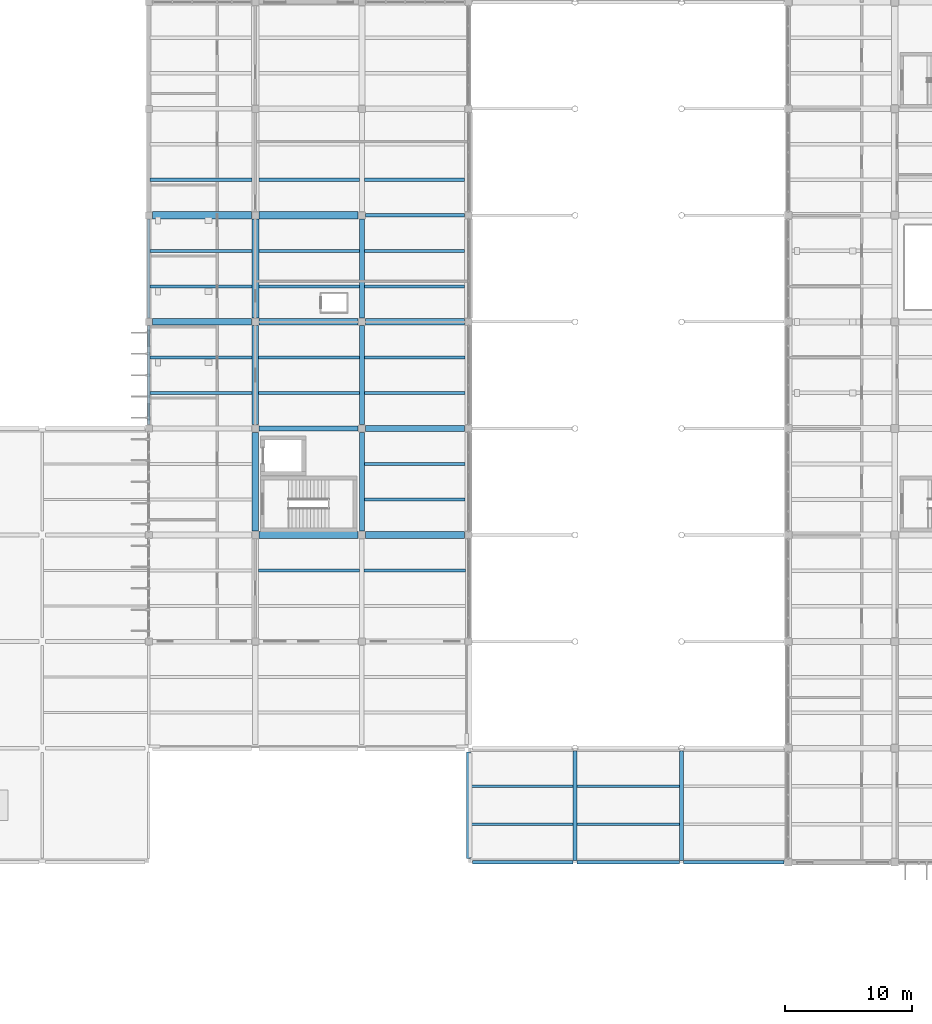
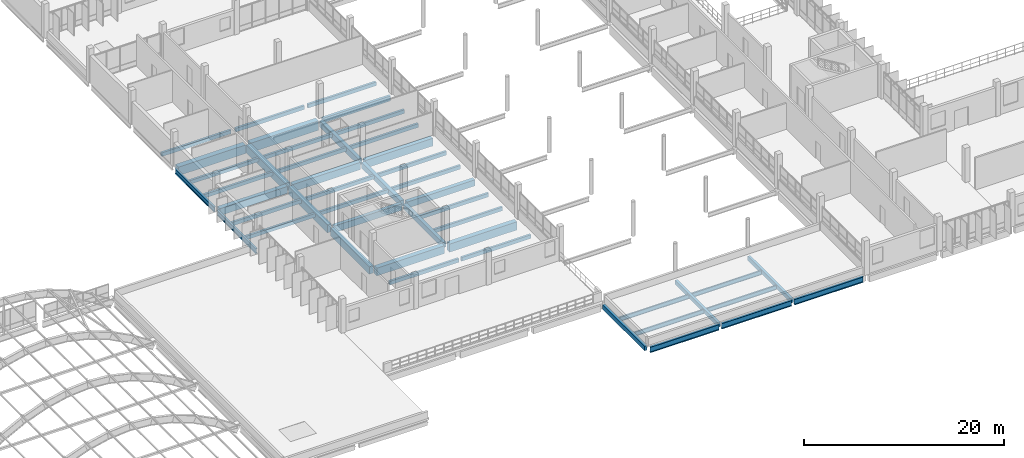
# One storey, part 22 of 130: 47 beams.
"""IFC4 building model written with IfcOpenShell, lengths in metres."""

from ifc_helpers import new_model, si_unit, direction, frame, origin, origin_2d, place, context, subcontext, project, spatial, rectangle, i_section, extrude, material, material_profile, profile_set, type_object, element, save


model = new_model("IFC4")

# Units and contexts
model_context = context("Model", 3, precision=1e-05, world=origin(), true_north=direction((0.0, 1.0)))
body_context = subcontext(model_context, "Body", "Model", "MODEL_VIEW")
ifc_project = project(units=[si_unit("LENGTHUNIT", "METRE"), si_unit("AREAUNIT", "SQUARE_METRE"), si_unit("VOLUMEUNIT", "CUBIC_METRE"), si_unit("PLANEANGLEUNIT", "RADIAN"), si_unit("MASSUNIT", "GRAM", prefix="KILO")], contexts=[model_context])

# Site, building, storey
site_placement = place(None, origin())
site = spatial("IfcSite", under=ifc_project, at=site_placement, CompositionType="ELEMENT")
building_placement = place(site_placement, origin())
building = spatial("IfcBuilding", under=site, at=building_placement, Name="Vireocrest Preparatory School", CompositionType="ELEMENT")
storey_placement = place(building_placement, frame((0.0, 0.0, 9.0)))
storey = spatial("IfcBuildingStorey", under=building, at=storey_placement, Name="L02", CompositionType="ELEMENT", Elevation=9.0)

# Beams
ifc_material_1 = material(Name="Structural steel ASTM A992 Grade 50", Category="steel")
ifc_material_profile_1 = material_profile(ifc_material_1, i_section(OverallWidth=0.25390625, OverallDepth=0.68408203125, WebThickness=0.012451171875, FlangeThickness=0.018798828125, FilletRadius=0.01806640625, at=origin_2d()), Name="W27X94")
ifc_profile_set_1 = profile_set([ifc_material_profile_1], Name="Structural steel ASTM A992 Grade 50")
beam_type_1 = type_object("IfcBeamType", Name="Bridge Primary Steel Girder W27X94", PredefinedType="BEAM", material=ifc_profile_set_1)
beam_1_placement = place(storey_placement, frame((67.5, 18.0, -0.56201171875), z_axis=(1.0, 0.0, 0.0), x_axis=(0.0, 1.0, 0.0)))
element("IfcBeam", 1, at=beam_1_placement, inside=storey, type_object=beam_type_1, Name="Primary Girder SB1 L02-0680", PredefinedType="BEAM", context=body_context, shape_type="SweptSolid", body=[
    extrude(i_section(OverallWidth=0.25390625, OverallDepth=0.68408203125, WebThickness=0.012451171875, FlangeThickness=0.018798828125, FilletRadius=0.01806640625, at=origin_2d()), origin(), (0.0, 0.0, 1.0), 7.947509765625),
])
beam_2_placement = place(storey_placement, frame((75.75244140625, 18.0, -0.56201171875), z_axis=(1.0, 0.0, 0.0), x_axis=(0.0, 1.0, 0.0)))
element("IfcBeam", 2, at=beam_2_placement, inside=storey, type_object=beam_type_1, Name="Primary Girder SB1 L02-0681", PredefinedType="BEAM", context=body_context, shape_type="SweptSolid", body=[
    extrude(i_section(OverallWidth=0.25390625, OverallDepth=0.68408203125, WebThickness=0.012451171875, FlangeThickness=0.018798828125, FilletRadius=0.01806640625, at=origin_2d()), origin(), (0.0, 0.0, 1.0), 8.09521484375),
])
beam_3_placement = place(storey_placement, frame((84.15234375, 18.0, -0.56201171875), z_axis=(1.0, 0.0, 0.0), x_axis=(0.0, 1.0, 0.0)))
element("IfcBeam", 3, at=beam_3_placement, inside=storey, type_object=beam_type_1, Name="Primary Girder SB1 L02-0682", PredefinedType="BEAM", context=body_context, shape_type="SweptSolid", body=[
    extrude(i_section(OverallWidth=0.25390625, OverallDepth=0.68408203125, WebThickness=0.012451171875, FlangeThickness=0.018798828125, FilletRadius=0.01806640625, at=origin_2d()), origin(), (0.0, 0.0, 1.0), 7.922607421875),
])
ifc_material_profile_2 = material_profile(ifc_material_1, i_section(OverallWidth=0.22802734375, OverallDepth=0.60791015625, WebThickness=0.01123046875, FlangeThickness=0.017333984375, FilletRadius=0.01611328125, at=origin_2d()), Name="W24X76")
ifc_profile_set_2 = profile_set([ifc_material_profile_2], Name="Structural steel ASTM A992 Grade 50")
beam_type_2 = type_object("IfcBeamType", Name="Gallery Steel Girder W24X76", PredefinedType="BEAM", material=ifc_profile_set_2)
for number, where, z_axis, x_axis, name in (
    (4, (42.0, 52.5, -0.5439453125), (0.0, 1.0, 0.0), (-1.0, 0.0, 0.0), "Primary Girder SB3 L02-0791"),
    (5, (42.0, 60.89990234375, -0.5439453125), (0.0, 1.0, 0.0), (-1.0, 0.0, 0.0), "Primary Girder SB3 L02-0792"),
):
    element("IfcBeam", number, at=place(storey_placement, frame(where, z_axis=z_axis, x_axis=x_axis)), inside=storey, type_object=beam_type_2, Name=name, PredefinedType="BEAM", context=body_context, shape_type="SweptSolid", body=[
        extrude(i_section(OverallWidth=0.22802734375, OverallDepth=0.60791015625, WebThickness=0.01123046875, FlangeThickness=0.017333984375, FilletRadius=0.01611328125, at=origin_2d()), origin(), (0.0, 0.0, 1.0), 7.800048828125),
    ])
ifc_material_profile_3 = material_profile(ifc_material_1, i_section(OverallWidth=0.166015625, OverallDepth=0.529052734375, WebThickness=0.009765625, FlangeThickness=0.013671875, FilletRadius=0.014892578125, at=origin_2d()), Name="W21X50")
ifc_profile_set_3 = profile_set([ifc_material_profile_3], Name="Structural steel ASTM A992 Grade 50")
beam_type_3 = type_object("IfcBeamType", Name="Pavilion Roof Joist W21X50", PredefinedType="JOIST", material=ifc_profile_set_3)
for number, where, z_axis, x_axis, name in (
    (6, (67.35009765625, 21.0, -0.484619140625), (1.0, 0.0, 0.0), (0.0, 1.0, 0.0), "Secondary Joist SJ1 L02-0944"),
    (7, (67.35009765625, 24.0, -0.484619140625), (1.0, 0.0, 0.0), (0.0, 1.0, 0.0), "Secondary Joist SJ1 L02-0945"),
):
    element("IfcBeam", number, at=place(storey_placement, frame(where, z_axis=z_axis, x_axis=x_axis)), inside=storey, type_object=beam_type_3, Name=name, PredefinedType="JOIST", context=body_context, shape_type="SweptSolid", body=[
        extrude(i_section(OverallWidth=0.166015625, OverallDepth=0.529052734375, WebThickness=0.009765625, FlangeThickness=0.013671875, FilletRadius=0.014892578125, at=origin_2d()), origin(), (0.0, 0.0, 1.0), 8.099853515625),
    ])
for number, where, z_axis, x_axis, name in (
    (8, (75.75, 21.0, -0.484619140625), (1.0, 0.0, 0.0), (0.0, 1.0, 0.0), "Secondary Joist SJ1 L02-0952"),
    (9, (75.75, 24.0, -0.484619140625), (1.0, 0.0, 0.0), (0.0, 1.0, 0.0), "Secondary Joist SJ1 L02-0953"),
):
    element("IfcBeam", number, at=place(storey_placement, frame(where, z_axis=z_axis, x_axis=x_axis)), inside=storey, type_object=beam_type_3, Name=name, PredefinedType="JOIST", context=body_context, shape_type="SweptSolid", body=[
        extrude(i_section(OverallWidth=0.166015625, OverallDepth=0.529052734375, WebThickness=0.009765625, FlangeThickness=0.013671875, FilletRadius=0.014892578125, at=origin_2d()), origin(), (0.0, 0.0, 1.0), 8.10009765625),
    ])
ifc_material_2 = material(Name="Concrete 40 MPa", Category="concrete")
ifc_material_profile_4 = material_profile(ifc_material_2, rectangle(XDim=0.5, YDim=0.949951171875, at=origin_2d()), Name="RC 500x950")
ifc_profile_set_4 = profile_set([ifc_material_profile_4], Name="Concrete 40 MPa")
beam_type_4 = type_object("IfcBeamType", Name="RC Basement Ceiling Girder 500x950", PredefinedType="BEAM", material=ifc_profile_set_4)
beam_4_placement = place(storey_placement, frame((59.10009765625, 60.60009765625, -0.715087890625), z_axis=(1.0, 0.0, 0.0), x_axis=(0.0, 1.0, 0.0)))
element("IfcBeam", 10, at=beam_4_placement, inside=storey, type_object=beam_type_4, Name="Primary Girder B16 L02-0734", PredefinedType="BEAM", context=body_context, shape_type="SweptSolid", body=[
    extrude(rectangle(XDim=0.5, YDim=0.949951171875, at=origin_2d()), origin(), (0.0, 0.0, 1.0), 7.7998046875),
])
beam_5_placement = place(storey_placement, frame((50.39990234375, 52.5, -0.715087890625), z_axis=(0.0, 1.0, 0.0), x_axis=(-1.0, 0.0, 0.0)))
element("IfcBeam", 11, at=beam_5_placement, inside=storey, type_object=beam_type_4, Name="Primary Girder B16 L02-0801", PredefinedType="BEAM", context=body_context, shape_type="SweptSolid", body=[
    extrude(rectangle(XDim=0.5, YDim=0.949951171875, at=origin_2d()), origin(), (0.0, 0.0, 1.0), 7.800048828125),
])
ifc_material_profile_5 = material_profile(ifc_material_2, rectangle(XDim=0.300048828125, YDim=0.60009765625, at=origin_2d()), Name="RC 300x600")
ifc_profile_set_5 = profile_set([ifc_material_profile_5], Name="Concrete 40 MPa")
beam_type_5 = type_object("IfcBeamType", Name="RC Classroom Beam 300x600", PredefinedType="BEAM", material=ifc_profile_set_5)
beam_6_placement = place(storey_placement, frame((59.10009765625, 69.0, -0.5400390625), z_axis=(1.0, 0.0, 0.0), x_axis=(0.0, 1.0, 0.0)))
element("IfcBeam", 12, at=beam_6_placement, inside=storey, type_object=beam_type_5, Name="Primary Girder B03 L02-0739", PredefinedType="BEAM", context=body_context, shape_type="SweptSolid", body=[
    extrude(rectangle(XDim=0.300048828125, YDim=0.60009765625, at=origin_2d()), origin(), (0.0, 0.0, 1.0), 7.7998046875),
])
ifc_material_profile_6 = material_profile(ifc_material_2, rectangle(XDim=0.39990234375, YDim=0.75, at=origin_2d()), Name="RC 400x750")
ifc_profile_set_6 = profile_set([ifc_material_profile_6], Name="Concrete 40 MPa")
beam_type_6 = type_object("IfcBeamType", Name="RC Commons Girder 400x750", PredefinedType="BEAM", material=ifc_profile_set_6)
beam_7_placement = place(storey_placement, frame((58.800048828125, 60.89990234375, -0.614990234375), z_axis=(0.0, 1.0, 0.0), x_axis=(-1.0, 0.0, 0.0)))
element("IfcBeam", 13, at=beam_7_placement, inside=storey, type_object=beam_type_6, Name="Primary Girder B09 L02-0812", PredefinedType="BEAM", context=body_context, shape_type="SweptSolid", body=[
    extrude(rectangle(XDim=0.39990234375, YDim=0.75, at=origin_2d()), origin(), (0.0, 0.0, 1.0), 7.800048828125),
])
ifc_material_profile_7 = material_profile(ifc_material_2, rectangle(XDim=0.550048828125, YDim=1.0, at=origin_2d()), Name="RC 550x1000")
ifc_profile_set_7 = profile_set([ifc_material_profile_7], Name="Concrete 40 MPa")
beam_type_7 = type_object("IfcBeamType", Name="RC Core Coupling Beam 550x1000", PredefinedType="BEAM", material=ifc_profile_set_7)
beam_8_placement = place(storey_placement, frame((59.10009765625, 43.800048828125, -0.739990234375), z_axis=(1.0, 0.0, 0.0), x_axis=(0.0, 1.0, 0.0)))
element("IfcBeam", 14, at=beam_8_placement, inside=storey, type_object=beam_type_7, Name="Primary Girder B18 L02-0718", PredefinedType="BEAM", context=body_context, shape_type="SweptSolid", body=[
    extrude(rectangle(XDim=0.550048828125, YDim=1.0, at=origin_2d()), origin(), (0.0, 0.0, 1.0), 7.7998046875),
])
ifc_material_profile_8 = material_profile(ifc_material_2, rectangle(XDim=0.39990234375, YDim=0.699951171875, at=origin_2d()), Name="RC 400x700")
ifc_profile_set_8 = profile_set([ifc_material_profile_8], Name="Concrete 40 MPa")
beam_type_8 = type_object("IfcBeamType", Name="RC Corridor Girder 400x700", PredefinedType="BEAM", material=ifc_profile_set_8)
beam_9_placement = place(storey_placement, frame((58.800048828125, 52.5, -0.590087890625), z_axis=(0.0, 1.0, 0.0), x_axis=(-1.0, 0.0, 0.0)))
element("IfcBeam", 15, at=beam_9_placement, inside=storey, type_object=beam_type_8, Name="Primary Girder B08 L02-0811", PredefinedType="BEAM", context=body_context, shape_type="SweptSolid", body=[
    extrude(rectangle(XDim=0.39990234375, YDim=0.699951171875, at=origin_2d()), origin(), (0.0, 0.0, 1.0), 7.800048828125),
])
ifc_material_profile_9 = material_profile(ifc_material_2, rectangle(XDim=0.60009765625, YDim=1.14990234375, at=origin_2d()), Name="RC 600x1150")
ifc_profile_set_9 = profile_set([ifc_material_profile_9], Name="Concrete 40 MPa")
beam_type_9 = type_object("IfcBeamType", Name="RC Heavy Transfer Girder 600x1150", PredefinedType="BEAM", material=ifc_profile_set_9)
beam_10_placement = place(storey_placement, frame((50.699951171875, 69.0, -0.81494140625), z_axis=(1.0, 0.0, 0.0), x_axis=(0.0, 1.0, 0.0)))
element("IfcBeam", 16, at=beam_10_placement, inside=storey, type_object=beam_type_9, Name="Primary Girder B20 L02-0738", PredefinedType="BEAM", context=body_context, shape_type="SweptSolid", body=[
    extrude(rectangle(XDim=0.60009765625, YDim=1.14990234375, at=origin_2d()), origin(), (0.0, 0.0, 1.0), 7.800048828125),
])
ifc_material_profile_10 = material_profile(ifc_material_2, rectangle(XDim=0.39990234375, YDim=0.64990234375, at=origin_2d()), Name="RC 400x650")
ifc_profile_set_10 = profile_set([ifc_material_profile_10], Name="Concrete 40 MPa")
beam_type_10 = type_object("IfcBeamType", Name="RC Laboratory Girder 400x650", PredefinedType="BEAM", material=ifc_profile_set_10)
beam_11_placement = place(storey_placement, frame((58.800048828125, 44.10009765625, -0.56494140625), z_axis=(0.0, 1.0, 0.0), x_axis=(-1.0, 0.0, 0.0)))
element("IfcBeam", 17, at=beam_11_placement, inside=storey, type_object=beam_type_10, Name="Primary Girder B07 L02-0810", PredefinedType="BEAM", context=body_context, shape_type="SweptSolid", body=[
    extrude(rectangle(XDim=0.39990234375, YDim=0.64990234375, at=origin_2d()), origin(), (0.0, 0.0, 1.0), 7.7998046875),
])
ifc_material_profile_11 = material_profile(ifc_material_2, rectangle(XDim=0.39990234375, YDim=0.800048828125, at=origin_2d()), Name="RC 400x800")
ifc_profile_set_11 = profile_set([ifc_material_profile_11], Name="Concrete 40 MPa")
beam_type_11 = type_object("IfcBeamType", Name="RC Library Reading Girder 400x800", PredefinedType="BEAM", material=ifc_profile_set_11)
beam_12_placement = place(storey_placement, frame((50.699951171875, 52.199951171875, -0.639892578125), z_axis=(1.0, 0.0, 0.0), x_axis=(0.0, 1.0, 0.0)))
element("IfcBeam", 18, at=beam_12_placement, inside=storey, type_object=beam_type_11, Name="Primary Girder B10 L02-0728", PredefinedType="BEAM", context=body_context, shape_type="SweptSolid", body=[
    extrude(rectangle(XDim=0.39990234375, YDim=0.800048828125, at=origin_2d()), origin(), (0.0, 0.0, 1.0), 7.800048828125),
])
ifc_material_profile_12 = material_profile(ifc_material_2, rectangle(XDim=0.449951171875, YDim=0.75, at=origin_2d()), Name="RC 450x750")
ifc_profile_set_12 = profile_set([ifc_material_profile_12], Name="Concrete 40 MPa")
beam_type_12 = type_object("IfcBeamType", Name="RC Library Stack Girder 450x750", PredefinedType="BEAM", material=ifc_profile_set_12)
beam_13_placement = place(storey_placement, frame((59.10009765625, 52.199951171875, -0.614990234375), z_axis=(1.0, 0.0, 0.0), x_axis=(0.0, 1.0, 0.0)))
element("IfcBeam", 19, at=beam_13_placement, inside=storey, type_object=beam_type_12, Name="Primary Girder B11 L02-0729", PredefinedType="BEAM", context=body_context, shape_type="SweptSolid", body=[
    extrude(rectangle(XDim=0.449951171875, YDim=0.75, at=origin_2d()), origin(), (0.0, 0.0, 1.0), 7.7998046875),
])
ifc_material_profile_13 = material_profile(ifc_material_2, rectangle(XDim=0.5, YDim=0.85009765625, at=origin_2d()), Name="RC 500x850")
ifc_profile_set_13 = profile_set([ifc_material_profile_13], Name="Concrete 40 MPa")
beam_type_13 = type_object("IfcBeamType", Name="RC Podium Girder 500x850", PredefinedType="BEAM", material=ifc_profile_set_13)
beam_14_placement = place(storey_placement, frame((42.300048828125, 60.60009765625, -0.6650390625), z_axis=(1.0, 0.0, 0.0), x_axis=(0.0, 1.0, 0.0)))
element("IfcBeam", 20, at=beam_14_placement, inside=storey, type_object=beam_type_13, Name="Primary Girder B14 L02-0732", PredefinedType="BEAM", context=body_context, shape_type="SweptSolid", body=[
    extrude(rectangle(XDim=0.5, YDim=0.85009765625, at=origin_2d()), origin(), (0.0, 0.0, 1.0), 7.800048828125),
])
ifc_material_profile_14 = material_profile(ifc_material_2, rectangle(XDim=0.5, YDim=0.89990234375, at=origin_2d()), Name="RC 500x900")
ifc_profile_set_14 = profile_set([ifc_material_profile_14], Name="Concrete 40 MPa")
beam_type_14 = type_object("IfcBeamType", Name="RC Podium Girder 500x900", PredefinedType="BEAM", material=ifc_profile_set_14)
beam_15_placement = place(storey_placement, frame((50.699951171875, 60.60009765625, -0.68994140625), z_axis=(1.0, 0.0, 0.0), x_axis=(0.0, 1.0, 0.0)))
element("IfcBeam", 21, at=beam_15_placement, inside=storey, type_object=beam_type_14, Name="Primary Girder B15 L02-0733", PredefinedType="BEAM", context=body_context, shape_type="SweptSolid", body=[
    extrude(rectangle(XDim=0.5, YDim=0.89990234375, at=origin_2d()), origin(), (0.0, 0.0, 1.0), 7.800048828125),
])
beam_16_placement = place(storey_placement, frame((50.39990234375, 44.10009765625, -0.68994140625), z_axis=(0.0, 1.0, 0.0), x_axis=(-1.0, 0.0, 0.0)))
element("IfcBeam", 22, at=beam_16_placement, inside=storey, type_object=beam_type_14, Name="Primary Girder B15 L02-0800", PredefinedType="BEAM", context=body_context, shape_type="SweptSolid", body=[
    extrude(rectangle(XDim=0.5, YDim=0.89990234375, at=origin_2d()), origin(), (0.0, 0.0, 1.0), 7.7998046875),
])
ifc_material_profile_15 = material_profile(ifc_material_2, rectangle(XDim=0.300048828125, YDim=0.5, at=origin_2d()), Name="RC 300x500")
ifc_profile_set_15 = profile_set([ifc_material_profile_15], Name="Concrete 40 MPa")
beam_type_15 = type_object("IfcBeamType", Name="RC Roof Edge Beam 300x500", PredefinedType="BEAM", material=ifc_profile_set_15)
for number, where, z_axis, x_axis, name in (
    (23, (75.60009765625, 18.15234375, -0.469970703125), (0.0, 1.0, 0.0), (-1.0, 0.0, 0.0), "Primary Girder B01 L02-0828"),
    (24, (84.0, 18.15234375, -0.469970703125), (0.0, 1.0, 0.0), (-1.0, 0.0, 0.0), "Primary Girder B01 L02-0832"),
):
    element("IfcBeam", number, at=place(storey_placement, frame(where, z_axis=z_axis, x_axis=x_axis)), inside=storey, type_object=beam_type_15, Name=name, PredefinedType="BEAM", context=body_context, shape_type="SweptSolid", body=[
        extrude(rectangle(XDim=0.300048828125, YDim=0.5, at=origin_2d()), origin(), (0.0, 0.0, 1.0), 8.619140625),
    ])
ifc_material_profile_16 = material_profile(ifc_material_2, rectangle(XDim=0.300048828125, YDim=0.550048828125, at=origin_2d()), Name="RC 300x550")
ifc_profile_set_16 = profile_set([ifc_material_profile_16], Name="Concrete 40 MPa")
beam_type_16 = type_object("IfcBeamType", Name="RC Roof Girder 300x550", PredefinedType="BEAM", material=ifc_profile_set_16)
beam_17_placement = place(storey_placement, frame((67.199951171875, 18.300048828125, -0.4951171875), z_axis=(0.0, 1.0, 0.0), x_axis=(-1.0, 0.0, 0.0)))
element("IfcBeam", 25, at=beam_17_placement, inside=storey, type_object=beam_type_16, Name="Primary Girder B02 L02-0817", PredefinedType="BEAM", context=body_context, shape_type="SweptSolid", body=[
    extrude(rectangle(XDim=0.300048828125, YDim=0.550048828125, at=origin_2d()), origin(), (0.0, 0.0, 1.0), 8.39990234375),
])
ifc_material_profile_17 = material_profile(ifc_material_2, rectangle(XDim=0.25, YDim=0.449951171875, at=origin_2d()), Name="RC 250x450")
ifc_profile_set_17 = profile_set([ifc_material_profile_17], Name="Concrete 40 MPa")
beam_type_17 = type_object("IfcBeamType", Name="RC Secondary Floor Joist 250x450", PredefinedType="JOIST", material=ifc_profile_set_17)
for number, where, z_axis, x_axis, name in (
    (26, (42.114013671875, 55.0, -0.465087890625), (1.0, 0.0, 0.0), (0.0, 1.0, 0.0), "Secondary Joist J01 L02-0896"),
    (27, (42.114013671875, 57.800048828125, -0.465087890625), (1.0, 0.0, 0.0), (0.0, 1.0, 0.0), "Secondary Joist J01 L02-0897"),
):
    element("IfcBeam", number, at=place(storey_placement, frame(where, z_axis=z_axis, x_axis=x_axis)), inside=storey, type_object=beam_type_17, Name=name, PredefinedType="JOIST", context=body_context, shape_type="SweptSolid", body=[
        extrude(rectangle(XDim=0.25, YDim=0.449951171875, at=origin_2d()), origin(), (0.0, 0.0, 1.0), 8.035888671875),
    ])
for number, where, z_axis, x_axis, name in (
    (28, (42.114013671875, 63.39990234375, -0.465087890625), (1.0, 0.0, 0.0), (0.0, 1.0, 0.0), "Secondary Joist J01 L02-0898"),
    (29, (42.114013671875, 66.199951171875, -0.465087890625), (1.0, 0.0, 0.0), (0.0, 1.0, 0.0), "Secondary Joist J01 L02-0899"),
    (30, (42.114013671875, 71.800048828125, -0.465087890625), (1.0, 0.0, 0.0), (0.0, 1.0, 0.0), "Secondary Joist J01 L02-0900"),
):
    element("IfcBeam", number, at=place(storey_placement, frame(where, z_axis=z_axis, x_axis=x_axis)), inside=storey, type_object=beam_type_17, Name=name, PredefinedType="JOIST", context=body_context, shape_type="SweptSolid", body=[
        extrude(rectangle(XDim=0.25, YDim=0.449951171875, at=origin_2d()), origin(), (0.0, 0.0, 1.0), 8.010986328125),
    ])
beam_18_placement = place(storey_placement, frame((50.64990234375, 41.0, -0.465087890625), z_axis=(1.0, 0.0, 0.0), x_axis=(0.0, 1.0, 0.0)))
element("IfcBeam", 31, at=beam_18_placement, inside=storey, type_object=beam_type_17, Name="Secondary Joist J01 L02-0913", PredefinedType="JOIST", context=body_context, shape_type="SweptSolid", body=[
    extrude(rectangle(XDim=0.25, YDim=0.449951171875, at=origin_2d()), origin(), (0.0, 0.0, 1.0), 7.97509765625),
])
for number, where, z_axis, x_axis, name in (
    (32, (50.64990234375, 55.0, -0.465087890625), (1.0, 0.0, 0.0), (0.0, 1.0, 0.0), "Secondary Joist J01 L02-0914"),
    (33, (50.64990234375, 57.800048828125, -0.465087890625), (1.0, 0.0, 0.0), (0.0, 1.0, 0.0), "Secondary Joist J01 L02-0915"),
):
    element("IfcBeam", number, at=place(storey_placement, frame(where, z_axis=z_axis, x_axis=x_axis)), inside=storey, type_object=beam_type_17, Name=name, PredefinedType="JOIST", context=body_context, shape_type="SweptSolid", body=[
        extrude(rectangle(XDim=0.25, YDim=0.449951171875, at=origin_2d()), origin(), (0.0, 0.0, 1.0), 7.9501953125),
    ])
for number, where, z_axis, x_axis, name in (
    (34, (50.675048828125, 63.39990234375, -0.465087890625), (1.0, 0.0, 0.0), (0.0, 1.0, 0.0), "Secondary Joist J01 L02-0916"),
    (35, (50.675048828125, 66.199951171875, -0.465087890625), (1.0, 0.0, 0.0), (0.0, 1.0, 0.0), "Secondary Joist J01 L02-0917"),
    (36, (50.675048828125, 71.800048828125, -0.465087890625), (1.0, 0.0, 0.0), (0.0, 1.0, 0.0), "Secondary Joist J01 L02-0918"),
):
    element("IfcBeam", number, at=place(storey_placement, frame(where, z_axis=z_axis, x_axis=x_axis)), inside=storey, type_object=beam_type_17, Name=name, PredefinedType="JOIST", context=body_context, shape_type="SweptSolid", body=[
        extrude(rectangle(XDim=0.25, YDim=0.449951171875, at=origin_2d()), origin(), (0.0, 0.0, 1.0), 7.925048828125),
    ])
beam_19_placement = place(storey_placement, frame((58.97509765625, 41.0, -0.465087890625), z_axis=(1.0, 0.0, 0.0), x_axis=(0.0, 1.0, 0.0)))
element("IfcBeam", 37, at=beam_19_placement, inside=storey, type_object=beam_type_17, Name="Secondary Joist J01 L02-0929", PredefinedType="JOIST", context=body_context, shape_type="SweptSolid", body=[
    extrude(rectangle(XDim=0.25, YDim=0.449951171875, at=origin_2d()), origin(), (0.0, 0.0, 1.0), 7.974853515625),
])
for number, where, z_axis, x_axis, name in (
    (38, (59.0, 46.60009765625, -0.465087890625), (1.0, 0.0, 0.0), (0.0, 1.0, 0.0), "Secondary Joist J01 L02-0930"),
    (39, (59.0, 49.39990234375, -0.465087890625), (1.0, 0.0, 0.0), (0.0, 1.0, 0.0), "Secondary Joist J01 L02-0931"),
    (40, (59.0, 55.0, -0.465087890625), (1.0, 0.0, 0.0), (0.0, 1.0, 0.0), "Secondary Joist J01 L02-0932"),
    (41, (59.0, 57.800048828125, -0.465087890625), (1.0, 0.0, 0.0), (0.0, 1.0, 0.0), "Secondary Joist J01 L02-0933"),
):
    element("IfcBeam", number, at=place(storey_placement, frame(where, z_axis=z_axis, x_axis=x_axis)), inside=storey, type_object=beam_type_17, Name=name, PredefinedType="JOIST", context=body_context, shape_type="SweptSolid", body=[
        extrude(rectangle(XDim=0.25, YDim=0.449951171875, at=origin_2d()), origin(), (0.0, 0.0, 1.0), 7.925048828125),
    ])
for number, where, z_axis, x_axis, name in (
    (42, (59.0, 63.39990234375, -0.465087890625), (1.0, 0.0, 0.0), (0.0, 1.0, 0.0), "Secondary Joist J01 L02-0934"),
    (43, (59.0, 66.199951171875, -0.465087890625), (1.0, 0.0, 0.0), (0.0, 1.0, 0.0), "Secondary Joist J01 L02-0935"),
    (44, (59.0, 71.800048828125, -0.465087890625), (1.0, 0.0, 0.0), (0.0, 1.0, 0.0), "Secondary Joist J01 L02-0936"),
):
    element("IfcBeam", number, at=place(storey_placement, frame(where, z_axis=z_axis, x_axis=x_axis)), inside=storey, type_object=beam_type_17, Name=name, PredefinedType="JOIST", context=body_context, shape_type="SweptSolid", body=[
        extrude(rectangle(XDim=0.25, YDim=0.449951171875, at=origin_2d()), origin(), (0.0, 0.0, 1.0), 7.89990234375),
    ])
ifc_material_profile_18 = material_profile(ifc_material_2, rectangle(XDim=0.550048828125, YDim=0.949951171875, at=origin_2d()), Name="RC 550x950")
ifc_profile_set_18 = profile_set([ifc_material_profile_18], Name="Concrete 40 MPa")
beam_type_18 = type_object("IfcBeamType", Name="RC Setback Edge Girder 550x950", PredefinedType="BEAM", material=ifc_profile_set_18)
for number, where, z_axis, x_axis, name in (
    (45, (50.699951171875, 43.800048828125, -0.715087890625), (1.0, 0.0, 0.0), (0.0, 1.0, 0.0), "Primary Girder B17 L02-0717"),
    (46, (50.39990234375, 60.89990234375, -0.715087890625), (0.0, 1.0, 0.0), (-1.0, 0.0, 0.0), "Primary Girder B17 L02-0802"),
):
    element("IfcBeam", number, at=place(storey_placement, frame(where, z_axis=z_axis, x_axis=x_axis)), inside=storey, type_object=beam_type_18, Name=name, PredefinedType="BEAM", context=body_context, shape_type="SweptSolid", body=[
        extrude(rectangle(XDim=0.550048828125, YDim=0.949951171875, at=origin_2d()), origin(), (0.0, 0.0, 1.0), 7.800048828125),
    ])
ifc_material_profile_19 = material_profile(ifc_material_2, rectangle(XDim=0.60009765625, YDim=1.050048828125, at=origin_2d()), Name="RC 600x1050")
ifc_profile_set_19 = profile_set([ifc_material_profile_19], Name="Concrete 40 MPa")
beam_type_19 = type_object("IfcBeamType", Name="RC Transfer Girder 600x1050", PredefinedType="BEAM", material=ifc_profile_set_19)
beam_20_placement = place(storey_placement, frame((42.300048828125, 69.0, -0.764892578125), z_axis=(1.0, 0.0, 0.0), x_axis=(0.0, 1.0, 0.0)))
element("IfcBeam", 47, at=beam_20_placement, inside=storey, type_object=beam_type_19, Name="Primary Girder B19 L02-0737", PredefinedType="BEAM", context=body_context, shape_type="SweptSolid", body=[
    extrude(rectangle(XDim=0.60009765625, YDim=1.050048828125, at=origin_2d()), origin(), (0.0, 0.0, 1.0), 7.800048828125),
])

save(model, "model.ifc")
